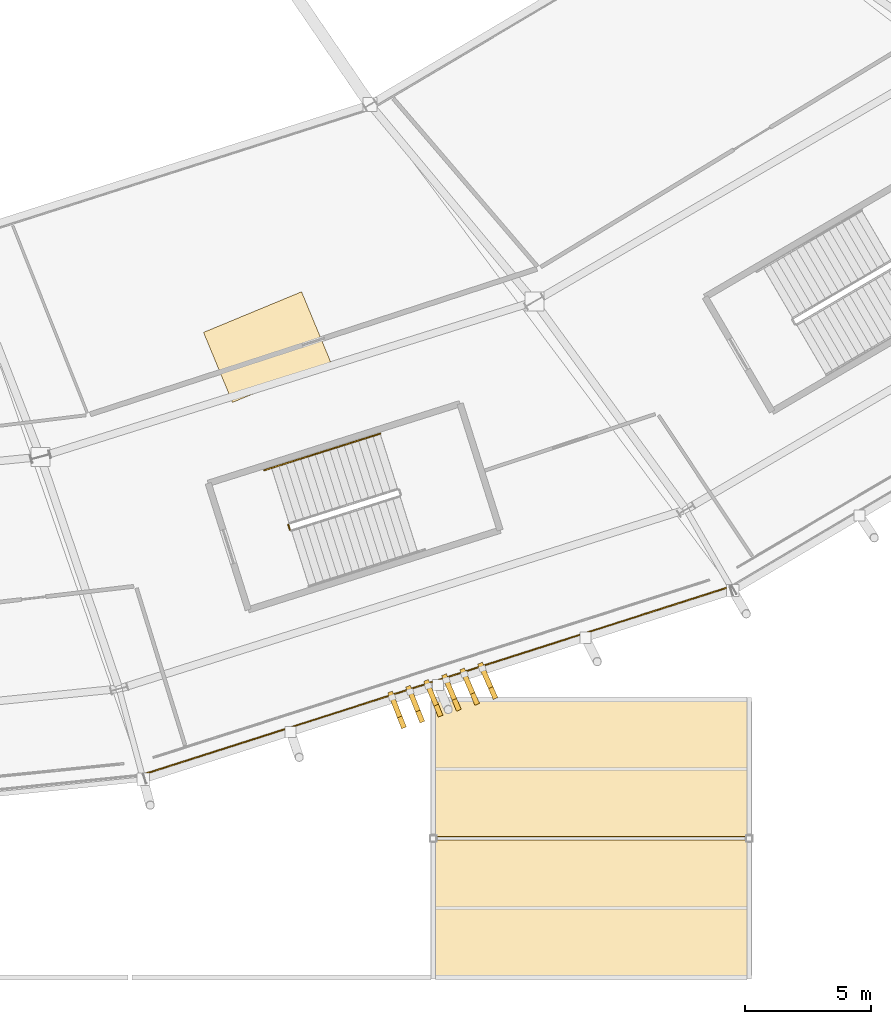
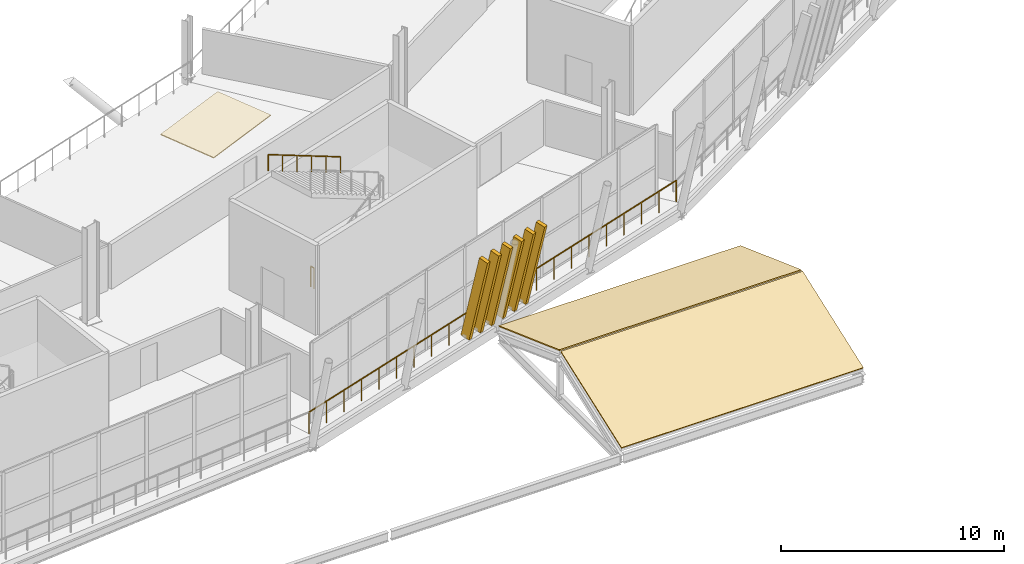
# One storey, part 152 of 168: 6 shading devices, 3 coverings, 3 railings, 1 element without a shape of its own.
"""IFC4 building model written with IfcOpenShell, lengths in metres."""

from ifc_helpers import new_model, si_unit, direction, frame, origin, origin_2d, place, context, subcontext, project, spatial, polyline, rectangle, outline, extrude, material, layer, layer_set, material_profile, profile_set, type_object, element, aggregate, save


model = new_model("IFC4")

# Units and contexts
model_context = context("Model", 3, precision=1e-05, world=origin(), true_north=direction((0.0, 1.0)))
body_context = subcontext(model_context, "Body", "Model", "MODEL_VIEW")
ifc_project = project(units=[si_unit("LENGTHUNIT", "METRE"), si_unit("AREAUNIT", "SQUARE_METRE"), si_unit("VOLUMEUNIT", "CUBIC_METRE"), si_unit("PLANEANGLEUNIT", "RADIAN"), si_unit("MASSUNIT", "GRAM", prefix="KILO")], contexts=[model_context])

# Site, building, storey
site_placement = place(None, origin())
site = spatial("IfcSite", under=ifc_project, at=site_placement, CompositionType="ELEMENT")
building_placement = place(site_placement, origin())
building = spatial("IfcBuilding", under=site, at=building_placement, Name="Zlatoyarsky Gate Stadium", CompositionType="ELEMENT")
storey_placement = place(building_placement, frame((0.0, 0.0, 15.60009765625)))
storey = spatial("IfcBuildingStorey", under=building, at=storey_placement, Name="L03", CompositionType="ELEMENT", Elevation=15.60009765625)

# Railings
ifc_material_1 = material(Name="Powder-coated steel tubular guardrail", Category="steel")
railing_type_1 = type_object("IfcRailingType", Name="CONCOURSE SLAB EDGE GUARDRAIL 1200", PredefinedType="GUARDRAIL", material=ifc_material_1)
railing_1_placement = place(storey_placement, frame((135.981689453125, 8.01708984375, 0.0)))
element("IfcRailing", 1, at=railing_1_placement, inside=storey, type_object=railing_type_1, Name="L03 outer slab edge guardrail 19", PredefinedType="GUARDRAIL", context=body_context, shape_type="SweptSolid", body=[
    extrude(rectangle(XDim=0.048095703125, YDim=0.048095703125, at=origin_2d()), frame((0.0, 0.0, 1.17578125), z_axis=(0.952478180507, 0.304606821424, 0.0), x_axis=(-0.304606821424, 0.952478180507, 0.0)), (0.0, 0.0, 1.0), 24.440673828125),
    extrude(rectangle(XDim=0.0419921875, YDim=0.0419921875, at=origin_2d()), origin(), (0.0, 0.0, 1.0), 1.15185546875),
    extrude(rectangle(XDim=0.0419921875, YDim=0.0419921875, at=origin_2d()), frame((1.108642578125, 0.3544921875, 0.0)), (0.0, 0.0, 1.0), 1.15185546875),
    extrude(rectangle(XDim=0.0419921875, YDim=0.0419921875, at=origin_2d()), frame((2.217041015625, 0.708984375, 0.0)), (0.0, 0.0, 1.0), 1.15185546875),
    extrude(rectangle(XDim=0.0419921875, YDim=0.0419921875, at=origin_2d()), frame((3.32568359375, 1.0634765625, 0.0)), (0.0, 0.0, 1.0), 1.15185546875),
    extrude(rectangle(XDim=0.0419921875, YDim=0.0419921875, at=origin_2d()), frame((4.43408203125, 1.41796875, 0.0)), (0.0, 0.0, 1.0), 1.15185546875),
    extrude(rectangle(XDim=0.0419921875, YDim=0.0419921875, at=origin_2d()), frame((5.542724609375, 1.7724609375, 0.0)), (0.0, 0.0, 1.0), 1.15185546875),
    extrude(rectangle(XDim=0.0419921875, YDim=0.0419921875, at=origin_2d()), frame((6.651123046875, 2.127197265625, 0.0)), (0.0, 0.0, 1.0), 1.15185546875),
    extrude(rectangle(XDim=0.0419921875, YDim=0.0419921875, at=origin_2d()), frame((7.759765625, 2.481689453125, 0.0)), (0.0, 0.0, 1.0), 1.15185546875),
    extrude(rectangle(XDim=0.0419921875, YDim=0.0419921875, at=origin_2d()), frame((8.868408203125, 2.836181640625, 0.0)), (0.0, 0.0, 1.0), 1.15185546875),
    extrude(rectangle(XDim=0.0419921875, YDim=0.0419921875, at=origin_2d()), frame((9.976806640625, 3.190673828125, 0.0)), (0.0, 0.0, 1.0), 1.15185546875),
    extrude(rectangle(XDim=0.0419921875, YDim=0.0419921875, at=origin_2d()), frame((11.08544921875, 3.545166015625, 0.0)), (0.0, 0.0, 1.0), 1.15185546875),
    extrude(rectangle(XDim=0.0419921875, YDim=0.0419921875, at=origin_2d()), frame((12.19384765625, 3.899658203125, 0.0)), (0.0, 0.0, 1.0), 1.15185546875),
    extrude(rectangle(XDim=0.0419921875, YDim=0.0419921875, at=origin_2d()), frame((13.302490234375, 4.254150390625, 0.0)), (0.0, 0.0, 1.0), 1.15185546875),
    extrude(rectangle(XDim=0.0419921875, YDim=0.0419921875, at=origin_2d()), frame((14.410888671875, 4.608642578125, 0.0)), (0.0, 0.0, 1.0), 1.15185546875),
    extrude(rectangle(XDim=0.0419921875, YDim=0.0419921875, at=origin_2d()), frame((15.51953125, 4.963134765625, 0.0)), (0.0, 0.0, 1.0), 1.15185546875),
    extrude(rectangle(XDim=0.0419921875, YDim=0.0419921875, at=origin_2d()), frame((16.628173828125, 5.317626953125, 0.0)), (0.0, 0.0, 1.0), 1.15185546875),
    extrude(rectangle(XDim=0.0419921875, YDim=0.0419921875, at=origin_2d()), frame((17.736572265625, 5.67236328125, 0.0)), (0.0, 0.0, 1.0), 1.15185546875),
    extrude(rectangle(XDim=0.0419921875, YDim=0.0419921875, at=origin_2d()), frame((18.84521484375, 6.02685546875, 0.0)), (0.0, 0.0, 1.0), 1.15185546875),
    extrude(rectangle(XDim=0.0419921875, YDim=0.0419921875, at=origin_2d()), frame((19.95361328125, 6.38134765625, 0.0)), (0.0, 0.0, 1.0), 1.15185546875),
    extrude(rectangle(XDim=0.0419921875, YDim=0.0419921875, at=origin_2d()), frame((21.062255859375, 6.73583984375, 0.0)), (0.0, 0.0, 1.0), 1.15185546875),
    extrude(rectangle(XDim=0.0419921875, YDim=0.0419921875, at=origin_2d()), frame((22.170654296875, 7.09033203125, 0.0)), (0.0, 0.0, 1.0), 1.15185546875),
    extrude(rectangle(XDim=0.0419921875, YDim=0.0419921875, at=origin_2d()), frame((23.279296875, 7.44482421875, 0.0)), (0.0, 0.0, 1.0), 1.15185546875),
])
ifc_material_2 = material(Name="Powder-coated steel stair guardrail", Category="steel")
railing_type_2 = type_object("IfcRailingType", Name="PAINTED STEEL STAIR WELL GUARDRAIL 1150", PredefinedType="GUARDRAIL", material=ifc_material_2)
railing_2_placement = place(storey_placement, frame((141.82861328125, 17.7109375, 0.0)))
element("IfcRailing", 2, at=railing_2_placement, inside=storey, type_object=railing_type_2, Name="ST-16 L03 stair guard 4", PredefinedType="GUARDRAIL", context=body_context, shape_type="SweptSolid", body=[
    extrude(rectangle(XDim=0.048095703125, YDim=0.048095703125, at=origin_2d()), frame((0.0, 0.0, 1.1259765625), z_axis=(-0.301540327315, 0.953453423615, 0.0), x_axis=(-0.953453423615, -0.301540327315, 0.0)), (0.0, 0.0, 1.0), 0.199951171875),
    extrude(rectangle(XDim=0.0419921875, YDim=0.0419921875, at=origin_2d()), origin(), (0.0, 0.0, 1.0), 1.101806640625),
    extrude(rectangle(XDim=0.0419921875, YDim=0.0419921875, at=origin_2d()), frame((-0.060302734375, 0.190673828125, 0.0)), (0.0, 0.0, 1.0), 1.101806640625),
])

# Covering
ifc_material_3 = material(Name="Perforated anodised aluminium acoustic ceiling", Category="aluminium")
ifc_layer_1 = layer(ifc_material_3, 0.050048828125)
ifc_layer_set_1 = layer_set([ifc_layer_1], Name="Perforated anodised aluminium acoustic ceiling")
covering_type_1 = type_object("IfcCoveringType", Name="PERFORATED ACOUSTIC BAFFLE CEILING 50", PredefinedType="CEILING", material=ifc_layer_set_1)
covering_1_placement = place(storey_placement, frame((0.0, 0.0, 4.849853515625)))
element("IfcCovering", 3, at=covering_1_placement, inside=storey, type_object=covering_type_1, Name="L03 box gallery acoustic ceiling 07", PredefinedType="CEILING", context=body_context, shape_type="SweptSolid", body=[
    extrude(outline(polyline([(138.411865234375, 25.519287109375), (142.2919921875, 27.12646484375), (143.440185546875, 24.354736328125), (139.559814453125, 22.74755859375), (138.411865234375, 25.519287109375)])), origin(), (0.0, 0.0, 1.0), 0.050048828125),
])

# Shading devices
ifc_material_4 = material(Name="Precast concrete C40/50 stone-toned architectural rib", Category="masonry")
ifc_material_profile = material_profile(ifc_material_4, rectangle(XDim=0.199951171875, YDim=0.47998046875, at=origin_2d()), Name="RIB 200X480")
ifc_profile_set = profile_set([ifc_material_profile], Name="Precast concrete C40/50 stone-toned architectural rib")
shading_device_type = type_object("IfcShadingDeviceType", Name="PRECAST FLUTED GATE LOUVRE BLADE 200X480", PredefinedType="SHUTTER", material=ifc_profile_set)
for number, where, z_axis, x_axis, name in (
    (4, (145.87353515625, 11.07666015625, -0.010009765625), (0.080620551856, -0.206302780985, 0.975161263164), (0.931406038961, 0.36398185475, 0.0), "Leaning bowl louvre fin L03-19-1"),
    (5, (146.587890625, 11.30517578125, -0.010009765625), (0.082255743552, -0.20563935888, 0.975164830545), (0.928476690885, 0.371390676354, 0.0), "Leaning bowl louvre fin L03-19-2"),
    (6, (147.30224609375, 11.53369140625, -0.010009765625), (0.083890685975, -0.204975293624, 0.975165361265), (0.92548815227, 0.378776556836, 0.0), "Leaning bowl louvre fin L03-19-3"),
    (7, (148.0166015625, 11.76220703125, -0.010009765625), (0.085576973396, -0.204260740082, 0.975168770873), (0.92232437715, 0.386416541202, 0.0), "Leaning bowl louvre fin L03-19-4"),
    (8, (148.73095703125, 11.99072265625, -0.010009765625), (0.08721137083, -0.203595379471, 0.975163113667), (0.919216601821, 0.393752255786, 0.0), "Leaning bowl louvre fin L03-19-5"),
    (9, (149.4453125, 12.21923828125, -0.010009765625), (0.08884639366, -0.202880407833, 0.975164528913), (0.916014333163, 0.401145536482, 0.0), "Leaning bowl louvre fin L03-19-6"),
):
    element("IfcShadingDevice", number, at=place(storey_placement, frame(where, z_axis=z_axis, x_axis=x_axis)), inside=storey, type_object=shading_device_type, Name=name, PredefinedType="SHUTTER", context=body_context, shape_type="SweptSolid", body=[
        extrude(rectangle(XDim=0.199951171875, YDim=0.47998046875, at=origin_2d()), origin(), (0.0, 0.0, 1.0), 4.778564453125),
    ])

# Railing
ifc_material_5 = material(Name="Brushed stainless steel 316 handrail", Category="steel")
railing_type_3 = type_object("IfcRailingType", Name="STAINLESS STEEL TUBULAR HANDRAIL 900", PredefinedType="HANDRAIL", material=ifc_material_5)
railing_3_placement = place(storey_placement, frame((145.398193359375, 21.51416015625, 2.766357421875)))
element("IfcRailing", 10, at=railing_3_placement, inside=storey, type_object=railing_type_3, Name="ST-16 L03 stair handrail 2", PredefinedType="HANDRAIL", context=body_context, shape_type="SweptSolid", body=[
    extrude(rectangle(XDim=0.048095703125, YDim=0.048095703125, at=origin_2d()), frame((0.0, 0.0, 0.8759765625), z_axis=(-0.838366559486, -0.265114529213, 0.476293815135), x_axis=(0.301511080938, -0.953462672616, 0.0)), (0.0, 0.0, 1.0), 5.458984375),
    extrude(rectangle(XDim=0.0419921875, YDim=0.0419921875, at=origin_2d()), origin(), (0.0, 0.0, 1.0), 0.851806640625),
    extrude(rectangle(XDim=0.0419921875, YDim=0.0419921875, at=origin_2d()), frame((-0.915283203125, -0.28955078125, 0.52001953125)), (0.0, 0.0, 1.0), 0.851806640625),
    extrude(rectangle(XDim=0.0419921875, YDim=0.0419921875, at=origin_2d()), frame((-1.83056640625, -0.578857421875, 1.0400390625)), (0.0, 0.0, 1.0), 0.851806640625),
    extrude(rectangle(XDim=0.0419921875, YDim=0.0419921875, at=origin_2d()), frame((-2.74609375, -0.868408203125, 1.56005859375)), (0.0, 0.0, 1.0), 0.851806640625),
    extrude(rectangle(XDim=0.0419921875, YDim=0.0419921875, at=origin_2d()), frame((-3.661376953125, -1.15771484375, 2.080078125)), (0.0, 0.0, 1.0), 0.851806640625),
    extrude(rectangle(XDim=0.0419921875, YDim=0.0419921875, at=origin_2d()), frame((-4.57666015625, -1.447265625, 2.60009765625)), (0.0, 0.0, 1.0), 0.851806640625),
])

# Roof, coverings
ifc_material_6 = material(Name="Standing-seam aluminium-zinc roofing with mineral wool insulation", Category="aluminium")
ifc_layer_2 = layer(ifc_material_6, 0.080078125)
ifc_layer_set_2 = layer_set([ifc_layer_2], Name="Standing-seam aluminium-zinc roofing with mineral wool insulation")
roof_type = type_object("IfcRoofType", Name="WING GABLED STANDING SEAM ROOF ASSEMBLY", PredefinedType="GABLE_ROOF", material=ifc_layer_set_2)
roof_placement = place(storey_placement, origin())
roof = element("IfcRoof", 11, at=roof_placement, inside=storey, type_object=roof_type, Name="V3_SOUTH_E gable roof", PredefinedType="GABLE_ROOF")
ifc_layer_3 = layer(ifc_material_6, 0.06005859375)
ifc_layer_set_3 = layer_set([ifc_layer_3], Name="Standing-seam aluminium-zinc roofing with mineral wool insulation")
covering_type_2 = type_object("IfcCoveringType", Name="STANDING SEAM ALUMINIUM ZINC ROOFING 60", PredefinedType="ROOFING", material=ifc_layer_set_3)
covering_2_placement = place(storey_placement, frame((147.5, 0.0, 0.059814453125), z_axis=(0.0, -0.341763424762, 0.939786018993), x_axis=(1.0, 0.0, 0.0)))
covering_2 = element("IfcCovering", 12, at=covering_2_placement, type_object=covering_type_2, Name="V3_SOUTH_E standing seam roofing 1", PredefinedType="ROOFING", context=body_context, shape_type="SweptSolid", body=[
    extrude(outline(polyline([(0.0, 0.0), (12.5, 0.0), (12.5, 5.776279586166431), (0.0, 5.776279586166431), (0.0, 0.0)])), origin(), (0.0, 0.0, -1.0), 0.06005859375),
])
covering_3_placement = place(storey_placement, frame((160.0, 11.0, 0.059814453125), z_axis=(0.0, 0.341763424762, 0.939786018993), x_axis=(-1.0, 0.0, 0.0)))
covering_3 = element("IfcCovering", 13, at=covering_3_placement, type_object=covering_type_2, Name="V3_SOUTH_E standing seam roofing 2", PredefinedType="ROOFING", context=body_context, shape_type="SweptSolid", body=[
    extrude(outline(polyline([(0.0, 0.0), (12.5, 0.0), (12.5, 5.776279586166431), (0.0, 5.776279586166431), (0.0, 0.0)])), origin(), (0.0, 0.0, -1.0), 0.06005859375),
])
aggregate(roof, [covering_2, covering_3])

save(model, "model.ifc")
